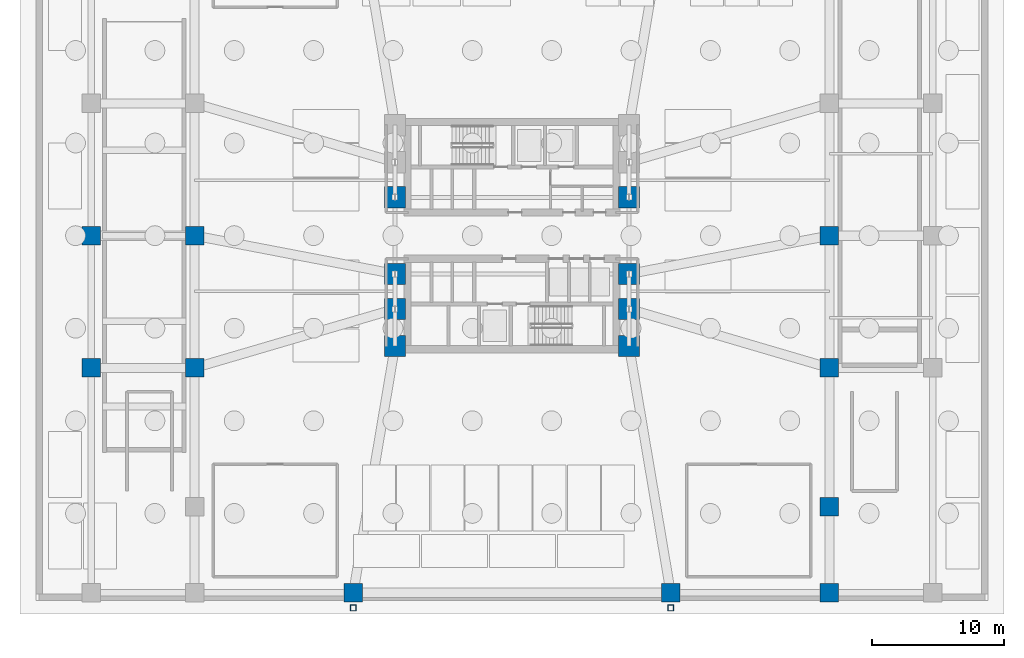
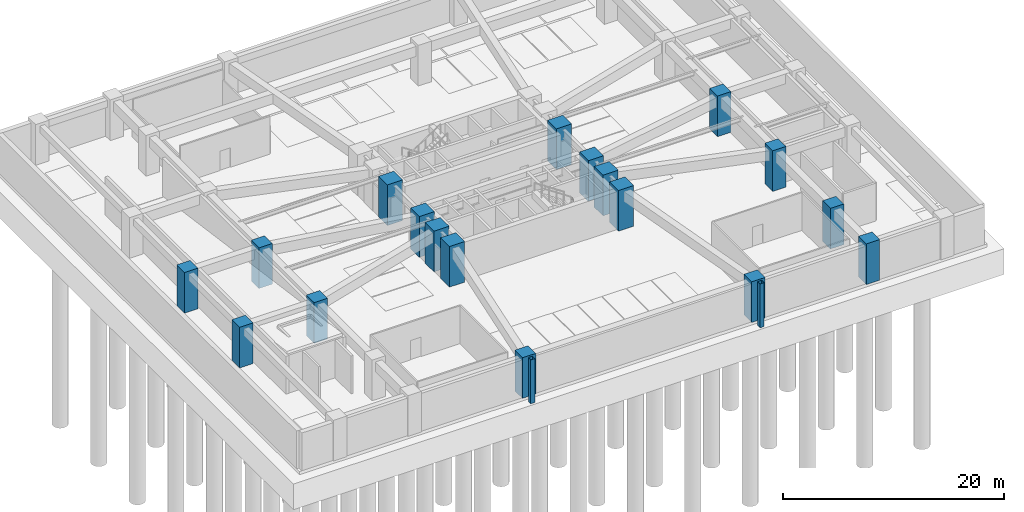
# One storey, part 2 of 14: 20 columns.
"""IFC4 building model written with IfcOpenShell, lengths in metres."""

from ifc_helpers import new_model, si_unit, direction, frame, origin, origin_2d, place, context, subcontext, project, spatial, rectangle, hollow_rectangle, extrude, material, material_profile, profile_set, type_object, element, save


model = new_model("IFC4")

# Units and contexts
model_context = context("Model", 3, precision=1e-05, world=origin(), true_north=direction((0.0, 1.0)))
body_context = subcontext(model_context, "Body", "Model", "MODEL_VIEW")
ifc_project = project(units=[si_unit("LENGTHUNIT", "METRE"), si_unit("AREAUNIT", "SQUARE_METRE"), si_unit("VOLUMEUNIT", "CUBIC_METRE"), si_unit("PLANEANGLEUNIT", "RADIAN"), si_unit("MASSUNIT", "GRAM", prefix="KILO")], contexts=[model_context])

# Site, building, storey
site_placement = place(None, origin())
site = spatial("IfcSite", under=ifc_project, at=site_placement, CompositionType="ELEMENT")
building_placement = place(site_placement, origin())
building = spatial("IfcBuilding", under=site, at=building_placement, Name="Solmarez Civic Tower", CompositionType="ELEMENT")
storey_placement = place(building_placement, frame((0.0, 0.0, -9.0)))
storey = spatial("IfcBuildingStorey", under=building, at=storey_placement, Name="B2", CompositionType="ELEMENT", Elevation=-9.0)

# Columns
ifc_material_1 = material(Name="Steel S355", Category="steel")
ifc_material_profile_1 = material_profile(ifc_material_1, hollow_rectangle(XDim=0.449951171875, YDim=0.449951171875, WallThickness=0.02197265625, at=origin_2d()), Name="HSS450X450X22")
ifc_profile_set_1 = profile_set([ifc_material_profile_1], Name="Steel S355")
column_type_1 = type_object("IfcColumnType", Name="COL-HSS450", PredefinedType="COLUMN", material=ifc_profile_set_1)
for number, where, z_axis, x_axis, name in (
    (1, (-12.0, -28.14990234375, -0.35009765625), (0.0, 0.0, 1.0), (1.0, 0.0, 0.0), "B2 South Giant Civic Arch Pier W"),
    (2, (12.0, -28.14990234375, -0.35009765625), (0.0, 0.0, 1.0), (1.0, 0.0, 0.0), "B2 South Giant Civic Arch Pier E"),
):
    element("IfcColumn", number, at=place(storey_placement, frame(where, z_axis=z_axis, x_axis=x_axis)), inside=storey, type_object=column_type_1, Name=name, PredefinedType="COLUMN", context=body_context, shape_type="SweptSolid", body=[
        extrude(hollow_rectangle(XDim=0.449951171875, YDim=0.449951171875, WallThickness=0.02197265625, at=origin_2d()), origin(), (0.0, 0.0, 1.0), 4.85009765625),
    ])
ifc_material_2 = material(Name="Concrete C60/75", Category="concrete")
ifc_material_profile_2 = material_profile(ifc_material_2, rectangle(XDim=1.39990234375, YDim=1.39990234375, at=origin_2d()), Name="RC1400X1400")
ifc_profile_set_2 = profile_set([ifc_material_profile_2], Name="Concrete C60/75")
column_type_2 = type_object("IfcColumnType", Name="COL-RC1400", PredefinedType="COLUMN", material=ifc_profile_set_2)
for number, where, z_axis, x_axis, name in (
    (3, (-12.0, -27.0, 0.0), (0.0, 0.0, 1.0), (1.0, 0.0, 0.0), "B2 Structural Column PC03"),
    (4, (12.0, -27.0, 0.0), (0.0, 0.0, 1.0), (1.0, 0.0, 0.0), "B2 Structural Column PC04"),
    (5, (24.0, -27.0, 0.0), (0.0, 0.0, 1.0), (1.0, 0.0, 0.0), "B2 Structural Column PC05"),
    (6, (-31.800048828125, -10.0, 0.0), (0.0, 0.0, 1.0), (1.0, 0.0, 0.0), "B2 Structural Column PC13"),
    (7, (-31.800048828125, 0.0, 0.0), (0.0, 0.0, 1.0), (1.0, 0.0, 0.0), "B2 Structural Column PC14"),
    (8, (-24.0, -10.0, 0.0), (0.0, 0.0, 1.0), (1.0, 0.0, 0.0), "B2 Structural Column PC19"),
    (9, (-24.0, 0.0, 0.0), (0.0, 0.0, 1.0), (1.0, 0.0, 0.0), "B2 Structural Column PC20"),
    (10, (24.0, -10.0, 0.0), (0.0, 0.0, 1.0), (1.0, 0.0, 0.0), "B2 Structural Column PC22"),
    (11, (24.0, 0.0, 0.0), (0.0, 0.0, 1.0), (1.0, 0.0, 0.0), "B2 Structural Column PC23"),
    (12, (24.0, -20.5, 0.0), (0.0, 0.0, 1.0), (1.0, 0.0, 0.0), "B2 Structural Column PC28"),
):
    element("IfcColumn", number, at=place(storey_placement, frame(where, z_axis=z_axis, x_axis=x_axis)), inside=storey, type_object=column_type_2, Name=name, PredefinedType="COLUMN", context=body_context, shape_type="SweptSolid", body=[
        extrude(rectangle(XDim=1.39990234375, YDim=1.39990234375, at=origin_2d()), origin(), (0.0, 0.0, 1.0), 4.5),
    ])
ifc_material_profile_3 = material_profile(ifc_material_2, rectangle(XDim=1.60009765625, YDim=1.60009765625, at=origin_2d()), Name="RC1600X1600")
ifc_profile_set_3 = profile_set([ifc_material_profile_3], Name="Concrete C60/75")
column_type_3 = type_object("IfcColumnType", Name="COL-RC1600", PredefinedType="COLUMN", material=ifc_profile_set_3)
for number, where, z_axis, x_axis, name in (
    (13, (-8.85009765625, -5.550048828125, 0.0), (0.0, 0.0, 1.0), (1.0, 0.0, 0.0), "B2 Structural Column HC1"),
    (14, (-8.85009765625, -2.89990234375, 0.0), (0.0, 0.0, 1.0), (1.0, 0.0, 0.0), "B2 Structural Column HC2"),
    (15, (-8.85009765625, 2.89990234375, 0.0), (0.0, 0.0, 1.0), (1.0, 0.0, 0.0), "B2 Structural Column HC3"),
    (16, (8.85009765625, -5.550048828125, 0.0), (0.0, 0.0, 1.0), (1.0, 0.0, 0.0), "B2 Structural Column HC5"),
    (17, (8.85009765625, -2.89990234375, 0.0), (0.0, 0.0, 1.0), (1.0, 0.0, 0.0), "B2 Structural Column HC6"),
    (18, (8.85009765625, 2.89990234375, 0.0), (0.0, 0.0, 1.0), (1.0, 0.0, 0.0), "B2 Structural Column HC7"),
    (19, (8.85009765625, -8.35009765625, 0.0), (0.0, 0.0, 1.0), (1.0, 0.0, 0.0), "B2 Structural Column HC10"),
    (20, (-8.85009765625, -8.35009765625, 0.0), (0.0, 0.0, 1.0), (1.0, 0.0, 0.0), "B2 Structural Column HC12"),
):
    element("IfcColumn", number, at=place(storey_placement, frame(where, z_axis=z_axis, x_axis=x_axis)), inside=storey, type_object=column_type_3, Name=name, PredefinedType="COLUMN", context=body_context, shape_type="SweptSolid", body=[
        extrude(rectangle(XDim=1.60009765625, YDim=1.60009765625, at=origin_2d()), origin(), (0.0, 0.0, 1.0), 4.5),
    ])

save(model, "model.ifc")
